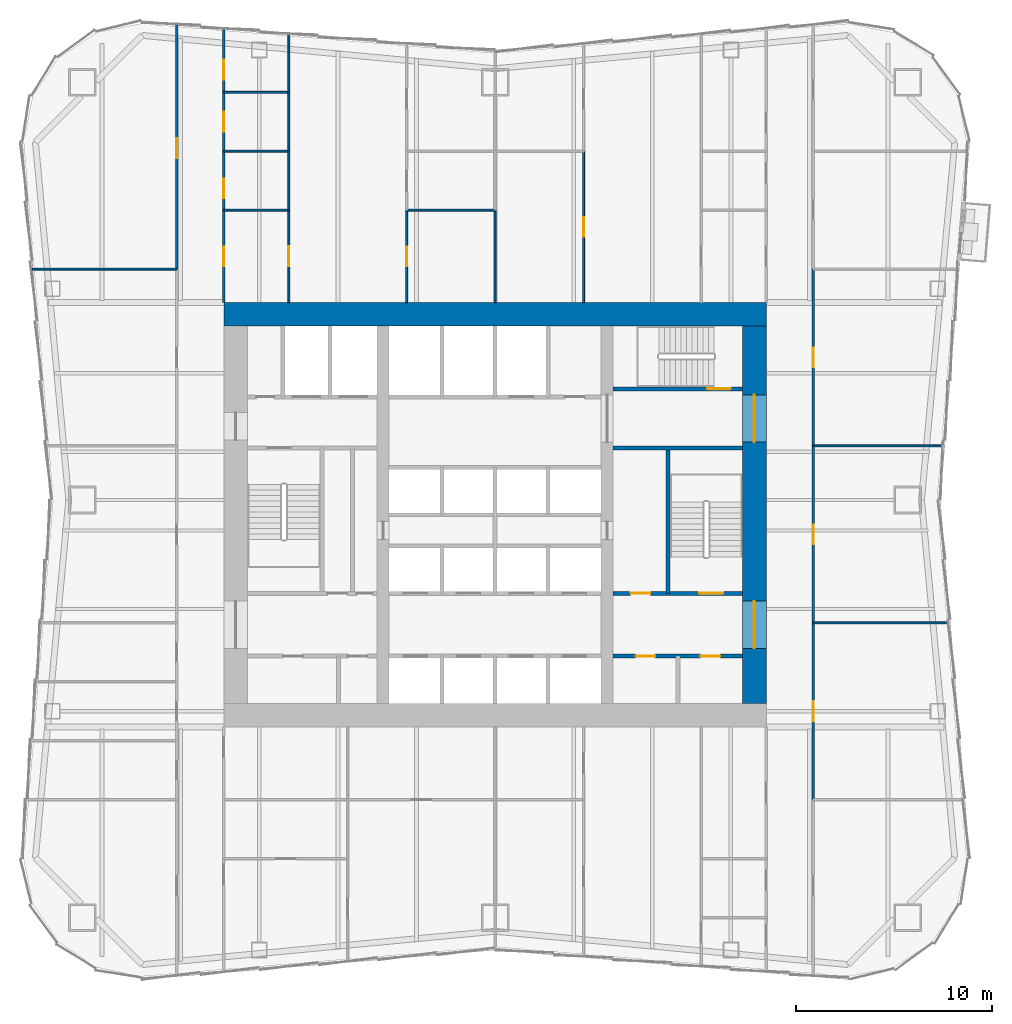
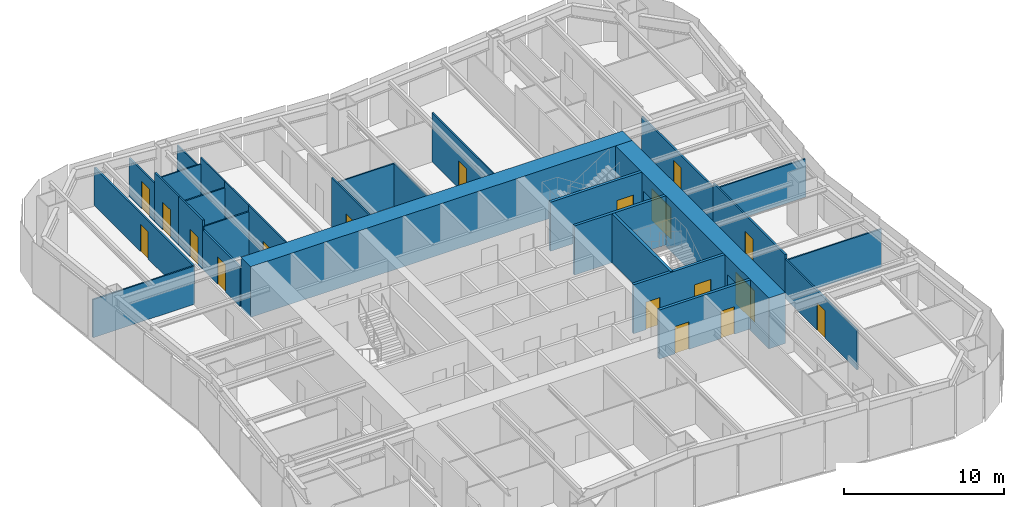
# One storey, part 6 of 9: 29 walls, 18 doors, 18 openings.
"""IFC4 building model written with IfcOpenShell, lengths in metres."""

from ifc_helpers import new_model, si_unit, direction, frame, frame_2d, origin, place, context, subcontext, project, spatial, rectangle, extrude, material, layer, layer_set, type_object, element, fill, save


model = new_model("IFC4")

# Units and contexts
model_context = context("Model", 3, precision=1e-05, world=origin(), true_north=direction((0.0, 1.0)))
body_context = subcontext(model_context, "Body", "Model", "MODEL_VIEW")
ifc_project = project(units=[si_unit("LENGTHUNIT", "METRE"), si_unit("AREAUNIT", "SQUARE_METRE"), si_unit("VOLUMEUNIT", "CUBIC_METRE"), si_unit("PLANEANGLEUNIT", "RADIAN"), si_unit("MASSUNIT", "GRAM", prefix="KILO")], contexts=[model_context])

# Site, building, storey
site_placement = place(None, origin())
site = spatial("IfcSite", under=ifc_project, at=site_placement, CompositionType="ELEMENT")
building_placement = place(site_placement, origin())
building = spatial("IfcBuilding", under=site, at=building_placement, Name="Verdant Reach Tower", CompositionType="ELEMENT")
storey_placement = place(building_placement, frame((0.0, 0.0, 110.0)))
storey = spatial("IfcBuildingStorey", under=building, at=storey_placement, Name="L25", CompositionType="ELEMENT", Elevation=110.0)

# Wall, openings, doors
ifc_material_1 = material(Name="Gypsum board on steel studs", Category="steel")
ifc_layer_1 = layer(ifc_material_1, 0.199951171875)
ifc_layer_set_1 = layer_set([ifc_layer_1], Name="CO-WALL-ROOM")
wall_type_1 = type_object("IfcWallType", Name="CO-WALL-ROOM", PredefinedType="PARTITIONING", material=ifc_layer_set_1)
wall_1_placement = place(storey_placement, frame((6.0, 20.800048828125, 0.0), z_axis=(0.0, 0.0, 1.0), x_axis=(1.0, 0.0, 0.0)))
wall_1 = element("IfcWall", 1, at=wall_1_placement, inside=storey, type_object=wall_type_1, Name="Core partition, L25", PredefinedType="PARTITIONING", context=body_context, shape_type="SweptSolid", body=[
    extrude(rectangle(XDim=6.60009765625, YDim=0.199951171875, at=frame_2d((3.300048828125, 0.0))), origin(), (0.0, 0.0, 1.0), 3.75),
])
opening_1_placement = place(wall_1_placement, frame((1.14990234375, 0.0, 0.0)))
opening_1 = element("IfcOpeningElement", 2, at=opening_1_placement, cuts=wall_1, Name="Opening CD", PredefinedType="OPENING", context=body_context, shape_type="SweptSolid", body=[
    extrude(rectangle(XDim=1.0, YDim=2.10009765625, at=frame_2d((0.5, 1.050048828125))), frame((0.0, 0.10986328125, 0.0), z_axis=(0.0, -1.0, 0.0), x_axis=(1.0, 0.0, 0.0)), (0.0, 0.0, 1.0), 0.219970703125),
])
opening_2_placement = place(wall_1_placement, frame((4.449951171875, 0.0, 0.0)))
opening_2 = element("IfcOpeningElement", 3, at=opening_2_placement, cuts=wall_1, Name="Opening CD", PredefinedType="OPENING", context=body_context, shape_type="SweptSolid", body=[
    extrude(rectangle(XDim=1.0, YDim=2.10009765625, at=frame_2d((0.5, 1.050048828125))), frame((0.0, 0.10986328125, 0.0), z_axis=(0.0, -1.0, 0.0), x_axis=(1.0, 0.0, 0.0)), (0.0, 0.0, 1.0), 0.219970703125),
])
ifc_material_2 = material(Name="Timber", Category="wood")
door_type_1 = type_object("IfcDoorType", Name="CO-DOOR-ROOM", OperationType="NOTDEFINED", PredefinedType="DOOR", material=ifc_material_2)
door_1_placement = place(opening_1_placement, origin())
door_1 = element("IfcDoor", 4, at=door_1_placement, inside=storey, type_object=door_type_1, Name="Core room door, L25", OperationType="SINGLE_SWING_LEFT", OverallHeight=2.10009765625, OverallWidth=1.0, PredefinedType="DOOR", context=body_context, shape_type="SweptSolid", body=[
    extrude(rectangle(XDim=1.0, YDim=2.10009765625, at=frame_2d((0.5, 1.050048828125))), frame((0.0, 0.02490234375, 0.0), z_axis=(0.0, -1.0, 0.0), x_axis=(1.0, 0.0, 0.0)), (0.0, 0.0, 1.0), 0.050048828125),
])
fill(opening_1, door_1)
door_2_placement = place(opening_2_placement, origin())
door_2 = element("IfcDoor", 5, at=door_2_placement, inside=storey, type_object=door_type_1, Name="Core room door, L25", OperationType="SINGLE_SWING_LEFT", OverallHeight=2.10009765625, OverallWidth=1.0, PredefinedType="DOOR", context=body_context, shape_type="SweptSolid", body=[
    extrude(rectangle(XDim=1.0, YDim=2.10009765625, at=frame_2d((0.5, 1.050048828125))), frame((0.0, 0.02490234375, 0.0), z_axis=(0.0, -1.0, 0.0), x_axis=(1.0, 0.0, 0.0)), (0.0, 0.0, 1.0), 0.050048828125),
])
fill(opening_2, door_2)

ifc_material_3 = material(Name="Concrete C40/50", Category="concrete")
ifc_layer_2 = layer(ifc_material_3, 0.199951171875)
ifc_layer_set_2 = layer_set([ifc_layer_2], Name="CO-WALL-STAIR")
wall_type_2 = type_object("IfcWallType", Name="CO-WALL-STAIR", PredefinedType="PARTITIONING", material=ifc_layer_set_2)
wall_2_placement = place(storey_placement, frame((6.0, 24.0, 0.0), z_axis=(0.0, 0.0, 1.0), x_axis=(1.0, 0.0, 0.0)))
wall_2 = element("IfcWall", 6, at=wall_2_placement, inside=storey, type_object=wall_type_2, Name="Stair enclosure wall, L25", PredefinedType="PARTITIONING", context=body_context, shape_type="SweptSolid", body=[
    extrude(rectangle(XDim=6.60009765625, YDim=0.199951171875, at=frame_2d((3.300048828125, 0.0))), origin(), (0.0, 0.0, 1.0), 3.75),
])
opening_3_placement = place(wall_2_placement, frame((0.89990234375, 0.0, 0.0)))
opening_3 = element("IfcOpeningElement", 7, at=opening_3_placement, cuts=wall_2, Name="Opening CD", PredefinedType="OPENING", context=body_context, shape_type="SweptSolid", body=[
    extrude(rectangle(XDim=1.0, YDim=2.10009765625, at=frame_2d((0.5, 1.050048828125))), frame((0.0, 0.10986328125, 0.0), z_axis=(0.0, -1.0, 0.0), x_axis=(1.0, 0.0, 0.0)), (0.0, 0.0, 1.0), 0.219970703125),
])
opening_4_placement = place(wall_2_placement, frame((4.39990234375, 0.0, 0.0)))
opening_4 = element("IfcOpeningElement", 8, at=opening_4_placement, cuts=wall_2, Name="Opening SD", PredefinedType="OPENING", context=body_context, shape_type="SweptSolid", body=[
    extrude(rectangle(XDim=1.199951171875, YDim=2.199951171875, at=frame_2d((0.60009765625, 1.10009765625))), frame((0.0, 0.10986328125, 0.0), z_axis=(0.0, -1.0, 0.0), x_axis=(1.0, 0.0, 0.0)), (0.0, 0.0, 1.0), 0.219970703125),
])
door_3_placement = place(opening_3_placement, origin())
door_3 = element("IfcDoor", 9, at=door_3_placement, inside=storey, type_object=door_type_1, Name="Core room door, L25", OperationType="SINGLE_SWING_RIGHT", OverallHeight=2.10009765625, OverallWidth=1.0, PredefinedType="DOOR", context=body_context, shape_type="SweptSolid", body=[
    extrude(rectangle(XDim=1.0, YDim=2.10009765625, at=frame_2d((0.5, 1.050048828125))), frame((0.0, 0.02490234375, 0.0), z_axis=(0.0, -1.0, 0.0), x_axis=(1.0, 0.0, 0.0)), (0.0, 0.0, 1.0), 0.050048828125),
])
fill(opening_3, door_3)
ifc_material_4 = material(Name="Steel", Category="steel")
door_type_2 = type_object("IfcDoorType", Name="CO-DOOR-STAIR", OperationType="NOTDEFINED", PredefinedType="DOOR", material=ifc_material_4)
door_4_placement = place(opening_4_placement, origin())
door_4 = element("IfcDoor", 10, at=door_4_placement, inside=storey, type_object=door_type_2, Name="Stair door, L25", OperationType="SINGLE_SWING_LEFT", OverallHeight=2.199951171875, OverallWidth=1.199951171875, PredefinedType="DOOR", context=body_context, shape_type="SweptSolid", body=[
    extrude(rectangle(XDim=1.199951171875, YDim=2.199951171875, at=frame_2d((0.60009765625, 1.10009765625))), frame((0.0, 0.02490234375, 0.0), z_axis=(0.0, -1.0, 0.0), x_axis=(1.0, 0.0, 0.0)), (0.0, 0.0, 1.0), 0.050048828125),
])
fill(opening_4, door_4)

# Wall
wall_3_placement = place(storey_placement, frame((6.0, 31.39990234375, 0.0), z_axis=(0.0, 0.0, 1.0), x_axis=(1.0, 0.0, 0.0)))
element("IfcWall", 11, at=wall_3_placement, inside=storey, type_object=wall_type_2, Name="Stair enclosure wall, L25", PredefinedType="PARTITIONING", context=body_context, shape_type="SweptSolid", body=[
    extrude(rectangle(XDim=6.60009765625, YDim=0.199951171875, at=frame_2d((3.300048828125, 0.0))), origin(), (0.0, 0.0, 1.0), 3.75),
])

# Wall, opening, door
wall_4_placement = place(storey_placement, frame((6.0, 34.39990234375, 0.0), z_axis=(0.0, 0.0, 1.0), x_axis=(1.0, 0.0, 0.0)))
wall_4 = element("IfcWall", 12, at=wall_4_placement, inside=storey, type_object=wall_type_2, Name="Stair enclosure wall, L25", PredefinedType="PARTITIONING", context=body_context, shape_type="SweptSolid", body=[
    extrude(rectangle(XDim=6.60009765625, YDim=0.199951171875, at=frame_2d((3.300048828125, 0.0))), origin(), (0.0, 0.0, 1.0), 3.75),
])
opening_5_placement = place(wall_4_placement, frame((4.800048828125, 0.0, 0.0)))
opening_5 = element("IfcOpeningElement", 13, at=opening_5_placement, cuts=wall_4, Name="Opening SD", PredefinedType="OPENING", context=body_context, shape_type="SweptSolid", body=[
    extrude(rectangle(XDim=1.199951171875, YDim=2.199951171875, at=frame_2d((0.60009765625, 1.10009765625))), frame((0.0, 0.10986328125, 0.0), z_axis=(0.0, -1.0, 0.0), x_axis=(1.0, 0.0, 0.0)), (0.0, 0.0, 1.0), 0.219970703125),
])
door_5_placement = place(opening_5_placement, origin())
door_5 = element("IfcDoor", 14, at=door_5_placement, inside=storey, type_object=door_type_2, Name="Stair door, L25", OperationType="SINGLE_SWING_RIGHT", OverallHeight=2.199951171875, OverallWidth=1.199951171875, PredefinedType="DOOR", context=body_context, shape_type="SweptSolid", body=[
    extrude(rectangle(XDim=1.199951171875, YDim=2.199951171875, at=frame_2d((0.60009765625, 1.10009765625))), frame((0.0, 0.02490234375, 0.0), z_axis=(0.0, -1.0, 0.0), x_axis=(1.0, 0.0, 0.0)), (0.0, 0.0, 1.0), 0.050048828125),
])
fill(opening_5, door_5)

# Walls
wall_5_placement = place(storey_placement, frame((8.800048828125, 24.0, 0.0), z_axis=(0.0, 0.0, 1.0), x_axis=(0.0, 1.0, 0.0)))
element("IfcWall", 15, at=wall_5_placement, inside=storey, type_object=wall_type_2, Name="Stair enclosure wall, L25", PredefinedType="PARTITIONING", context=body_context, shape_type="SweptSolid", body=[
    extrude(rectangle(XDim=7.39990234375, YDim=0.199951171875, at=frame_2d((3.699951171875, 0.0))), origin(), (0.0, 0.0, 1.0), 3.75),
])
ifc_layer_3 = layer(ifc_material_1, 0.10009765625)
ifc_layer_set_3 = layer_set([ifc_layer_3], Name="FL-W1 Partition 100")
wall_type_3 = type_object("IfcWallType", Name="FL-W1 Partition 100", PredefinedType="PARTITIONING", material=ifc_layer_set_3)
wall_6_placement = place(storey_placement, frame((-16.199951171875, 40.5, 0.0), z_axis=(0.0, 0.0, 1.0), x_axis=(-1.0, 0.0, 0.0)))
element("IfcWall", 16, at=wall_6_placement, inside=storey, type_object=wall_type_3, Name="Partition 25.32", PredefinedType="PARTITIONING", context=body_context, shape_type="SweptSolid", body=[
    extrude(rectangle(XDim=7.345947265625, YDim=0.10009765625, at=frame_2d((3.6728515625, 0.0))), origin(), (0.0, 0.0, 1.0), 2.919921875),
])
wall_7_placement = place(storey_placement, frame((23.09375, 22.5, 0.0), z_axis=(0.0, 0.0, 1.0), x_axis=(-1.0, 0.0, 0.0)))
element("IfcWall", 17, at=wall_7_placement, inside=storey, type_object=wall_type_3, Name="Partition 25.34", PredefinedType="PARTITIONING", context=body_context, shape_type="SweptSolid", body=[
    extrude(rectangle(XDim=6.893798828125, YDim=0.10009765625, at=frame_2d((3.44677734375, 0.0))), origin(), (0.0, 0.0, 1.0), 2.919921875),
])
wall_8_placement = place(storey_placement, frame((22.805908203125, 31.5, 0.0), z_axis=(0.0, 0.0, 1.0), x_axis=(-1.0, 0.0, 0.0)))
element("IfcWall", 18, at=wall_8_placement, inside=storey, type_object=wall_type_3, Name="Partition 25.35", PredefinedType="PARTITIONING", context=body_context, shape_type="SweptSolid", body=[
    extrude(rectangle(XDim=6.60595703125, YDim=0.10009765625, at=frame_2d((3.302978515625, 0.0))), origin(), (0.0, 0.0, 1.0), 2.919921875),
])
wall_9_placement = place(storey_placement, frame((-10.5, 43.5, 0.0), z_axis=(0.0, 0.0, 1.0), x_axis=(-1.0, 0.0, 0.0)))
element("IfcWall", 19, at=wall_9_placement, inside=storey, type_object=wall_type_3, Name="Partition 25.54", PredefinedType="PARTITIONING", context=body_context, shape_type="SweptSolid", body=[
    extrude(rectangle(XDim=3.300048828125, YDim=0.10009765625, at=frame_2d((1.64990234375, 0.0))), origin(), (0.0, 0.0, 1.0), 3.27001953125),
])

# Wall, opening, door
wall_10_placement = place(storey_placement, frame((-10.5, 43.50390625, 0.0), z_axis=(0.0, 0.0, 1.0), x_axis=(0.0, -1.0, 0.0)))
wall_10 = element("IfcWall", 20, at=wall_10_placement, inside=storey, type_object=wall_type_3, Name="Partition 25.55", PredefinedType="PARTITIONING", context=body_context, shape_type="SweptSolid", body=[
    extrude(rectangle(XDim=4.703857421875, YDim=0.10009765625, at=frame_2d((2.35205078125, 0.0))), origin(), (0.0, 0.0, 1.0), 3.75),
])
opening_6_placement = place(wall_10_placement, frame((1.85205078125, 0.0, 0.0)))
opening_6 = element("IfcOpeningElement", 21, at=opening_6_placement, cuts=wall_10, Name="Opening D3", PredefinedType="OPENING", context=body_context, shape_type="SweptSolid", body=[
    extrude(rectangle(XDim=1.0, YDim=2.10009765625, at=frame_2d((0.5, 1.050048828125))), frame((0.0, 0.06005859375, 0.0), z_axis=(0.0, -1.0, 0.0), x_axis=(1.0, 0.0, 0.0)), (0.0, 0.0, 1.0), 0.1201171875),
])
ifc_material_5 = material(Name="Painted timber door leaf", Category="wood")
door_type_3 = type_object("IfcDoorType", Name="FL-D3 Door 1000x2100", OperationType="NOTDEFINED", PredefinedType="DOOR", material=ifc_material_5)
door_6_placement = place(opening_6_placement, origin())
door_6 = element("IfcDoor", 22, at=door_6_placement, inside=storey, type_object=door_type_3, Name="Door 25-032", OperationType="SINGLE_SWING_RIGHT", OverallHeight=2.10009765625, OverallWidth=1.0, PredefinedType="DOOR", context=body_context, shape_type="SweptSolid", body=[
    extrude(rectangle(XDim=1.0, YDim=2.10009765625, at=frame_2d((0.5, 1.050048828125))), frame((0.0, 0.02490234375, 0.0), z_axis=(0.0, -1.0, 0.0), x_axis=(1.0, 0.0, 0.0)), (0.0, 0.0, 1.0), 0.050048828125),
])
fill(opening_6, door_6)

# Walls
wall_11_placement = place(storey_placement, frame((-10.5, 46.5, 0.0), z_axis=(0.0, 0.0, 1.0), x_axis=(-1.0, 0.0, 0.0)))
element("IfcWall", 23, at=wall_11_placement, inside=storey, type_object=wall_type_3, Name="Partition 25.56", PredefinedType="PARTITIONING", context=body_context, shape_type="SweptSolid", body=[
    extrude(rectangle(XDim=3.300048828125, YDim=0.10009765625, at=frame_2d((1.64990234375, 0.0))), origin(), (0.0, 0.0, 1.0), 3.27001953125),
])
wall_12_placement = place(storey_placement, frame((-10.5, 43.49609375, 0.0), z_axis=(0.0, 0.0, 1.0), x_axis=(0.0, 1.0, 0.0)))
element("IfcWall", 24, at=wall_12_placement, inside=storey, type_object=wall_type_3, Name="Partition 25.57", PredefinedType="PARTITIONING", context=body_context, shape_type="SweptSolid", body=[
    extrude(rectangle(XDim=3.0078125, YDim=0.10009765625, at=frame_2d((1.50390625, 0.0))), origin(), (0.0, 0.0, 1.0), 3.75),
])
wall_13_placement = place(storey_placement, frame((-10.5, 49.5, 0.0), z_axis=(0.0, 0.0, 1.0), x_axis=(-1.0, 0.0, 0.0)))
element("IfcWall", 25, at=wall_13_placement, inside=storey, type_object=wall_type_3, Name="Partition 25.58", PredefinedType="PARTITIONING", context=body_context, shape_type="SweptSolid", body=[
    extrude(rectangle(XDim=3.300048828125, YDim=0.10009765625, at=frame_2d((1.64990234375, 0.0))), origin(), (0.0, 0.0, 1.0), 3.27001953125),
])
wall_14_placement = place(storey_placement, frame((-10.5, 46.49609375, 0.0), z_axis=(0.0, 0.0, 1.0), x_axis=(0.0, 1.0, 0.0)))
element("IfcWall", 26, at=wall_14_placement, inside=storey, type_object=wall_type_3, Name="Partition 25.59", PredefinedType="PARTITIONING", context=body_context, shape_type="SweptSolid", body=[
    extrude(rectangle(XDim=3.0078125, YDim=0.10009765625, at=frame_2d((1.50390625, 0.0))), origin(), (0.0, 0.0, 1.0), 3.75),
])
wall_15_placement = place(storey_placement, frame((-10.5, 49.49609375, 0.0), z_axis=(0.0, 0.0, 1.0), x_axis=(0.0, 1.0, 0.0)))
element("IfcWall", 27, at=wall_15_placement, inside=storey, type_object=wall_type_3, Name="Partition 25.60", PredefinedType="PARTITIONING", context=body_context, shape_type="SweptSolid", body=[
    extrude(rectangle(XDim=2.958984375, YDim=0.10009765625, at=frame_2d((1.4794921875, 0.0))), origin(), (0.0, 0.0, 1.0), 2.919921875),
])

# Wall, opening, door
wall_16_placement = place(storey_placement, frame((-4.5, 43.5, 0.0), z_axis=(0.0, 0.0, 1.0), x_axis=(0.0, -1.0, 0.0)))
wall_16 = element("IfcWall", 28, at=wall_16_placement, inside=storey, type_object=wall_type_3, Name="Partition 25.61", PredefinedType="PARTITIONING", context=body_context, shape_type="SweptSolid", body=[
    extrude(rectangle(XDim=4.699951171875, YDim=0.10009765625, at=frame_2d((2.35009765625, 0.0))), origin(), (0.0, 0.0, 1.0), 3.75),
])
opening_7_placement = place(wall_16_placement, frame((1.85009765625, 0.0, 0.0)))
opening_7 = element("IfcOpeningElement", 29, at=opening_7_placement, cuts=wall_16, Name="Opening D3", PredefinedType="OPENING", context=body_context, shape_type="SweptSolid", body=[
    extrude(rectangle(XDim=1.0, YDim=2.10009765625, at=frame_2d((0.5, 1.050048828125))), frame((0.0, 0.06005859375, 0.0), z_axis=(0.0, -1.0, 0.0), x_axis=(1.0, 0.0, 0.0)), (0.0, 0.0, 1.0), 0.1201171875),
])
door_7_placement = place(opening_7_placement, origin())
door_7 = element("IfcDoor", 30, at=door_7_placement, inside=storey, type_object=door_type_3, Name="Door 25-033", OperationType="SINGLE_SWING_LEFT", OverallHeight=2.10009765625, OverallWidth=1.0, PredefinedType="DOOR", context=body_context, shape_type="SweptSolid", body=[
    extrude(rectangle(XDim=1.0, YDim=2.10009765625, at=frame_2d((0.5, 1.050048828125))), frame((0.0, 0.02490234375, 0.0), z_axis=(0.0, -1.0, 0.0), x_axis=(1.0, 0.0, 0.0)), (0.0, 0.0, 1.0), 0.050048828125),
])
fill(opening_7, door_7)

# Walls
wall_17_placement = place(storey_placement, frame((0.0, 43.5, 0.0), z_axis=(0.0, 0.0, 1.0), x_axis=(-1.0, 0.0, 0.0)))
element("IfcWall", 31, at=wall_17_placement, inside=storey, type_object=wall_type_3, Name="Partition 25.64", PredefinedType="PARTITIONING", context=body_context, shape_type="SweptSolid", body=[
    extrude(rectangle(XDim=4.5, YDim=0.10009765625, at=frame_2d((2.25, 0.0))), origin(), (0.0, 0.0, 1.0), 3.27001953125),
])
wall_18_placement = place(storey_placement, frame((0.0, 38.800048828125, 0.0), z_axis=(0.0, 0.0, 1.0), x_axis=(0.0, 1.0, 0.0)))
element("IfcWall", 32, at=wall_18_placement, inside=storey, type_object=wall_type_3, Name="Partition 25.65", PredefinedType="PARTITIONING", context=body_context, shape_type="SweptSolid", body=[
    extrude(rectangle(XDim=4.703857421875, YDim=0.10009765625, at=frame_2d((2.35205078125, 0.0))), origin(), (0.0, 0.0, 1.0), 3.320068359375),
])

# Wall, opening, door
wall_19_placement = place(storey_placement, frame((4.5, 38.800048828125, 0.0), z_axis=(0.0, 0.0, 1.0), x_axis=(0.0, 1.0, 0.0)))
wall_19 = element("IfcWall", 33, at=wall_19_placement, inside=storey, type_object=wall_type_3, Name="Partition 25.74", PredefinedType="PARTITIONING", context=body_context, shape_type="SweptSolid", body=[
    extrude(rectangle(XDim=7.699951171875, YDim=0.10009765625, at=frame_2d((3.85009765625, 0.0))), origin(), (0.0, 0.0, 1.0), 3.75),
])
opening_8_placement = place(wall_19_placement, frame((3.35009765625, 0.0, 0.0)))
opening_8 = element("IfcOpeningElement", 34, at=opening_8_placement, cuts=wall_19, Name="Opening D3", PredefinedType="OPENING", context=body_context, shape_type="SweptSolid", body=[
    extrude(rectangle(XDim=1.0, YDim=2.10009765625, at=frame_2d((0.5, 1.050048828125))), frame((0.0, 0.06005859375, 0.0), z_axis=(0.0, -1.0, 0.0), x_axis=(1.0, 0.0, 0.0)), (0.0, 0.0, 1.0), 0.1201171875),
])
door_8_placement = place(opening_8_placement, origin())
door_8 = element("IfcDoor", 35, at=door_8_placement, inside=storey, type_object=door_type_3, Name="Door 25-037", OperationType="SINGLE_SWING_LEFT", OverallHeight=2.10009765625, OverallWidth=1.0, PredefinedType="DOOR", context=body_context, shape_type="SweptSolid", body=[
    extrude(rectangle(XDim=1.0, YDim=2.10009765625, at=frame_2d((0.5, 1.050048828125))), frame((0.0, 0.02490234375, 0.0), z_axis=(0.0, -1.0, 0.0), x_axis=(1.0, 0.0, 0.0)), (0.0, 0.0, 1.0), 0.050048828125),
])
fill(opening_8, door_8)

ifc_material_6 = material(Name="Gypsum board on steel studs, fire rated", Category="steel")
ifc_layer_4 = layer(ifc_material_6, 0.125)
ifc_layer_set_4 = layer_set([ifc_layer_4], Name="FL-W2 Corridor wall 125")
wall_type_4 = type_object("IfcWallType", Name="FL-W2 Corridor wall 125", PredefinedType="PARTITIONING", material=ifc_layer_set_4)
wall_20_placement = place(storey_placement, frame((-16.199951171875, 40.5, 0.0), z_axis=(0.0, 0.0, 1.0), x_axis=(0.0, 1.0, 0.0)))
wall_20 = element("IfcWall", 36, at=wall_20_placement, inside=storey, type_object=wall_type_4, Name="Partition 25.07", PredefinedType="PARTITIONING", context=body_context, shape_type="SweptSolid", body=[
    extrude(rectangle(XDim=12.429931640625, YDim=0.125, at=frame_2d((6.21484375, 0.0))), origin(), (0.0, 0.0, 1.0), 2.919921875),
])
opening_9_placement = place(wall_20_placement, frame((5.64990234375, 0.0, 0.0)))
opening_9 = element("IfcOpeningElement", 37, at=opening_9_placement, cuts=wall_20, Name="Opening D2", PredefinedType="OPENING", context=body_context, shape_type="SweptSolid", body=[
    extrude(rectangle(XDim=1.0, YDim=2.10009765625, at=frame_2d((0.5, 1.050048828125))), frame((0.0, 0.072509765625, 0.0), z_axis=(0.0, -1.0, 0.0), x_axis=(1.0, 0.0, 0.0)), (0.0, 0.0, 1.0), 0.14501953125),
])
ifc_material_7 = material(Name="Timber door leaf, fire rated", Category="wood")
door_type_4 = type_object("IfcDoorType", Name="FL-D2 Entrance door 1000x2100 FD30", OperationType="NOTDEFINED", PredefinedType="DOOR", material=ifc_material_7)
door_9_placement = place(opening_9_placement, origin())
door_9 = element("IfcDoor", 38, at=door_9_placement, inside=storey, type_object=door_type_4, Name="Door 25-007", OperationType="SINGLE_SWING_LEFT", OverallHeight=2.10009765625, OverallWidth=1.0, PredefinedType="DOOR", context=body_context, shape_type="SweptSolid", body=[
    extrude(rectangle(XDim=1.0, YDim=2.10009765625, at=frame_2d((0.5, 1.050048828125))), frame((0.0, 0.02490234375, 0.0), z_axis=(0.0, -1.0, 0.0), x_axis=(1.0, 0.0, 0.0)), (0.0, 0.0, 1.0), 0.050048828125),
])
fill(opening_9, door_9)

wall_21_placement = place(storey_placement, frame((-13.800048828125, 43.5, 0.0), z_axis=(0.0, 0.0, 1.0), x_axis=(0.0, -1.0, 0.0)))
wall_21 = element("IfcWall", 39, at=wall_21_placement, inside=storey, type_object=wall_type_4, Name="Partition 25.11", PredefinedType="PARTITIONING", context=body_context, shape_type="SweptSolid", body=[
    extrude(rectangle(XDim=4.699951171875, YDim=0.125, at=frame_2d((2.35009765625, 0.0))), origin(), (0.0, 0.0, 1.0), 3.02001953125),
])
opening_10_placement = place(wall_21_placement, frame((1.85009765625, 0.0, 0.0)))
opening_10 = element("IfcOpeningElement", 40, at=opening_10_placement, cuts=wall_21, Name="Opening D2", PredefinedType="OPENING", context=body_context, shape_type="SweptSolid", body=[
    extrude(rectangle(XDim=1.0, YDim=2.10009765625, at=frame_2d((0.5, 1.050048828125))), frame((0.0, 0.072509765625, 0.0), z_axis=(0.0, -1.0, 0.0), x_axis=(1.0, 0.0, 0.0)), (0.0, 0.0, 1.0), 0.14501953125),
])
door_10_placement = place(opening_10_placement, origin())
door_10 = element("IfcDoor", 41, at=door_10_placement, inside=storey, type_object=door_type_4, Name="Door 25-010", OperationType="SINGLE_SWING_RIGHT", OverallHeight=2.10009765625, OverallWidth=1.0, PredefinedType="DOOR", context=body_context, shape_type="SweptSolid", body=[
    extrude(rectangle(XDim=1.0, YDim=2.10009765625, at=frame_2d((0.5, 1.050048828125))), frame((0.0, 0.02490234375, 0.0), z_axis=(0.0, -1.0, 0.0), x_axis=(1.0, 0.0, 0.0)), (0.0, 0.0, 1.0), 0.050048828125),
])
fill(opening_10, door_10)

wall_22_placement = place(storey_placement, frame((-13.800048828125, 46.5, 0.0), z_axis=(0.0, 0.0, 1.0), x_axis=(0.0, -1.0, 0.0)))
wall_22 = element("IfcWall", 42, at=wall_22_placement, inside=storey, type_object=wall_type_4, Name="Partition 25.12", PredefinedType="PARTITIONING", context=body_context, shape_type="SweptSolid", body=[
    extrude(rectangle(XDim=3.0, YDim=0.125, at=frame_2d((1.5, 0.0))), origin(), (0.0, 0.0, 1.0), 3.75),
])
opening_11_placement = place(wall_22_placement, frame((1.39990234375, 0.0, 0.0)))
opening_11 = element("IfcOpeningElement", 43, at=opening_11_placement, cuts=wall_22, Name="Opening D2", PredefinedType="OPENING", context=body_context, shape_type="SweptSolid", body=[
    extrude(rectangle(XDim=1.0, YDim=2.10009765625, at=frame_2d((0.5, 1.050048828125))), frame((0.0, 0.072509765625, 0.0), z_axis=(0.0, -1.0, 0.0), x_axis=(1.0, 0.0, 0.0)), (0.0, 0.0, 1.0), 0.14501953125),
])
door_11_placement = place(opening_11_placement, origin())
door_11 = element("IfcDoor", 44, at=door_11_placement, inside=storey, type_object=door_type_4, Name="Door 25-011", OperationType="SINGLE_SWING_RIGHT", OverallHeight=2.10009765625, OverallWidth=1.0, PredefinedType="DOOR", context=body_context, shape_type="SweptSolid", body=[
    extrude(rectangle(XDim=1.0, YDim=2.10009765625, at=frame_2d((0.5, 1.050048828125))), frame((0.0, 0.02490234375, 0.0), z_axis=(0.0, -1.0, 0.0), x_axis=(1.0, 0.0, 0.0)), (0.0, 0.0, 1.0), 0.050048828125),
])
fill(opening_11, door_11)

wall_23_placement = place(storey_placement, frame((-13.800048828125, 49.5, 0.0), z_axis=(0.0, 0.0, 1.0), x_axis=(0.0, -1.0, 0.0)))
wall_23 = element("IfcWall", 45, at=wall_23_placement, inside=storey, type_object=wall_type_4, Name="Partition 25.13", PredefinedType="PARTITIONING", context=body_context, shape_type="SweptSolid", body=[
    extrude(rectangle(XDim=3.0, YDim=0.125, at=frame_2d((1.5, 0.0))), origin(), (0.0, 0.0, 1.0), 3.75),
])
opening_12_placement = place(wall_23_placement, frame((1.0, 0.0, 0.0)))
opening_12 = element("IfcOpeningElement", 46, at=opening_12_placement, cuts=wall_23, Name="Opening D2", PredefinedType="OPENING", context=body_context, shape_type="SweptSolid", body=[
    extrude(rectangle(XDim=1.0, YDim=2.10009765625, at=frame_2d((0.5, 1.050048828125))), frame((0.0, 0.072509765625, 0.0), z_axis=(0.0, -1.0, 0.0), x_axis=(1.0, 0.0, 0.0)), (0.0, 0.0, 1.0), 0.14501953125),
])
door_12_placement = place(opening_12_placement, origin())
door_12 = element("IfcDoor", 47, at=door_12_placement, inside=storey, type_object=door_type_4, Name="Door 25-012", OperationType="SINGLE_SWING_RIGHT", OverallHeight=2.10009765625, OverallWidth=1.0, PredefinedType="DOOR", context=body_context, shape_type="SweptSolid", body=[
    extrude(rectangle(XDim=1.0, YDim=2.10009765625, at=frame_2d((0.5, 1.050048828125))), frame((0.0, 0.02490234375, 0.0), z_axis=(0.0, -1.0, 0.0), x_axis=(1.0, 0.0, 0.0)), (0.0, 0.0, 1.0), 0.050048828125),
])
fill(opening_12, door_12)

wall_24_placement = place(storey_placement, frame((-13.800048828125, 52.72998046875, 0.0), z_axis=(0.0, 0.0, 1.0), x_axis=(0.0, -1.0, 0.0)))
wall_24 = element("IfcWall", 48, at=wall_24_placement, inside=storey, type_object=wall_type_4, Name="Partition 25.14", PredefinedType="PARTITIONING", context=body_context, shape_type="SweptSolid", body=[
    extrude(rectangle(XDim=3.22998046875, YDim=0.125, at=frame_2d((1.614990234375, 0.0))), origin(), (0.0, 0.0, 1.0), 2.919921875),
])
opening_13_placement = place(wall_24_placement, frame((1.580078125, 0.0, 0.0)))
opening_13 = element("IfcOpeningElement", 49, at=opening_13_placement, cuts=wall_24, Name="Opening D2", PredefinedType="OPENING", context=body_context, shape_type="SweptSolid", body=[
    extrude(rectangle(XDim=1.0, YDim=2.10009765625, at=frame_2d((0.5, 1.050048828125))), frame((0.0, 0.072509765625, 0.0), z_axis=(0.0, -1.0, 0.0), x_axis=(1.0, 0.0, 0.0)), (0.0, 0.0, 1.0), 0.14501953125),
])
door_13_placement = place(opening_13_placement, origin())
door_13 = element("IfcDoor", 50, at=door_13_placement, inside=storey, type_object=door_type_4, Name="Door 25-013", OperationType="SINGLE_SWING_RIGHT", OverallHeight=2.10009765625, OverallWidth=1.0, PredefinedType="DOOR", context=body_context, shape_type="SweptSolid", body=[
    extrude(rectangle(XDim=1.0, YDim=2.10009765625, at=frame_2d((0.5, 1.050048828125))), frame((0.0, 0.02490234375, 0.0), z_axis=(0.0, -1.0, 0.0), x_axis=(1.0, 0.0, 0.0)), (0.0, 0.0, 1.0), 0.050048828125),
])
fill(opening_13, door_13)

wall_25_placement = place(storey_placement, frame((16.199951171875, 22.5, 0.0), z_axis=(0.0, 0.0, 1.0), x_axis=(0.0, -1.0, 0.0)))
wall_25 = element("IfcWall", 51, at=wall_25_placement, inside=storey, type_object=wall_type_4, Name="Partition 25.16", PredefinedType="PARTITIONING", context=body_context, shape_type="SweptSolid", body=[
    extrude(rectangle(XDim=9.0, YDim=0.125, at=frame_2d((4.5, 0.0))), origin(), (0.0, 0.0, 1.0), 3.02001953125),
])
opening_14_placement = place(wall_25_placement, frame((4.0, 0.0, 0.0)))
opening_14 = element("IfcOpeningElement", 52, at=opening_14_placement, cuts=wall_25, Name="Opening D2", PredefinedType="OPENING", context=body_context, shape_type="SweptSolid", body=[
    extrude(rectangle(XDim=1.0, YDim=2.10009765625, at=frame_2d((0.5, 1.050048828125))), frame((0.0, 0.072509765625, 0.0), z_axis=(0.0, -1.0, 0.0), x_axis=(1.0, 0.0, 0.0)), (0.0, 0.0, 1.0), 0.14501953125),
])
door_14_placement = place(opening_14_placement, origin())
door_14 = element("IfcDoor", 53, at=door_14_placement, inside=storey, type_object=door_type_4, Name="Door 25-015", OperationType="SINGLE_SWING_LEFT", OverallHeight=2.10009765625, OverallWidth=1.0, PredefinedType="DOOR", context=body_context, shape_type="SweptSolid", body=[
    extrude(rectangle(XDim=1.0, YDim=2.10009765625, at=frame_2d((0.5, 1.050048828125))), frame((0.0, 0.02490234375, 0.0), z_axis=(0.0, -1.0, 0.0), x_axis=(1.0, 0.0, 0.0)), (0.0, 0.0, 1.0), 0.050048828125),
])
fill(opening_14, door_14)

wall_26_placement = place(storey_placement, frame((16.199951171875, 31.5, 0.0), z_axis=(0.0, 0.0, 1.0), x_axis=(0.0, -1.0, 0.0)))
wall_26 = element("IfcWall", 54, at=wall_26_placement, inside=storey, type_object=wall_type_4, Name="Partition 25.17", PredefinedType="PARTITIONING", context=body_context, shape_type="SweptSolid", body=[
    extrude(rectangle(XDim=9.0, YDim=0.125, at=frame_2d((4.5, 0.0))), origin(), (0.0, 0.0, 1.0), 3.360107421875),
])
opening_15_placement = place(wall_26_placement, frame((4.0, 0.0, 0.0)))
opening_15 = element("IfcOpeningElement", 55, at=opening_15_placement, cuts=wall_26, Name="Opening D2", PredefinedType="OPENING", context=body_context, shape_type="SweptSolid", body=[
    extrude(rectangle(XDim=1.0, YDim=2.10009765625, at=frame_2d((0.5, 1.050048828125))), frame((0.0, 0.072509765625, 0.0), z_axis=(0.0, -1.0, 0.0), x_axis=(1.0, 0.0, 0.0)), (0.0, 0.0, 1.0), 0.14501953125),
])
door_15_placement = place(opening_15_placement, origin())
door_15 = element("IfcDoor", 56, at=door_15_placement, inside=storey, type_object=door_type_4, Name="Door 25-016", OperationType="SINGLE_SWING_RIGHT", OverallHeight=2.10009765625, OverallWidth=1.0, PredefinedType="DOOR", context=body_context, shape_type="SweptSolid", body=[
    extrude(rectangle(XDim=1.0, YDim=2.10009765625, at=frame_2d((0.5, 1.050048828125))), frame((0.0, 0.02490234375, 0.0), z_axis=(0.0, -1.0, 0.0), x_axis=(1.0, 0.0, 0.0)), (0.0, 0.0, 1.0), 0.050048828125),
])
fill(opening_15, door_15)

wall_27_placement = place(storey_placement, frame((16.199951171875, 40.5, 0.0), z_axis=(0.0, 0.0, 1.0), x_axis=(0.0, -1.0, 0.0)))
wall_27 = element("IfcWall", 57, at=wall_27_placement, inside=storey, type_object=wall_type_4, Name="Partition 25.18", PredefinedType="PARTITIONING", context=body_context, shape_type="SweptSolid", body=[
    extrude(rectangle(XDim=9.0, YDim=0.125, at=frame_2d((4.5, 0.0))), origin(), (0.0, 0.0, 1.0), 3.02001953125),
])
opening_16_placement = place(wall_27_placement, frame((4.0, 0.0, 0.0)))
opening_16 = element("IfcOpeningElement", 58, at=opening_16_placement, cuts=wall_27, Name="Opening D2", PredefinedType="OPENING", context=body_context, shape_type="SweptSolid", body=[
    extrude(rectangle(XDim=1.0, YDim=2.10009765625, at=frame_2d((0.5, 1.050048828125))), frame((0.0, 0.072509765625, 0.0), z_axis=(0.0, -1.0, 0.0), x_axis=(1.0, 0.0, 0.0)), (0.0, 0.0, 1.0), 0.14501953125),
])
door_16_placement = place(opening_16_placement, origin())
door_16 = element("IfcDoor", 59, at=door_16_placement, inside=storey, type_object=door_type_4, Name="Door 25-017", OperationType="SINGLE_SWING_LEFT", OverallHeight=2.10009765625, OverallWidth=1.0, PredefinedType="DOOR", context=body_context, shape_type="SweptSolid", body=[
    extrude(rectangle(XDim=1.0, YDim=2.10009765625, at=frame_2d((0.5, 1.050048828125))), frame((0.0, 0.02490234375, 0.0), z_axis=(0.0, -1.0, 0.0), x_axis=(1.0, 0.0, 0.0)), (0.0, 0.0, 1.0), 0.050048828125),
])
fill(opening_16, door_16)

# Wall
ifc_material_8 = material(Name="Concrete C70/85", Category="concrete")
ifc_layer_5 = layer(ifc_material_8, 1.199951171875)
ifc_layer_set_5 = layer_set([ifc_layer_5], Name="ST-CORE-WALL-1200")
wall_type_5 = type_object("IfcWallType", Name="ST-CORE-WALL-1200", PredefinedType="SHEAR", material=ifc_layer_set_5)
wall_28_placement = place(storey_placement, frame((-13.800048828125, 38.199951171875, -0.1298828125), z_axis=(0.0, 0.0, 1.0), x_axis=(1.0, 0.0, 0.0)))
element("IfcWall", 60, at=wall_28_placement, inside=storey, type_object=wall_type_5, Name="Core wall N, L25", PredefinedType="SHEAR", context=body_context, shape_type="SweptSolid", body=[
    extrude(rectangle(XDim=27.60009765625, YDim=1.199951171875, at=frame_2d((13.800048828125, 0.0))), origin(), (0.0, 0.0, 1.0), 3.8798828125),
])

# Wall, openings, doors
wall_29_placement = place(storey_placement, frame((13.199951171875, 18.39990234375, -0.1298828125), z_axis=(0.0, 0.0, 1.0), x_axis=(0.0, 1.0, 0.0)))
wall_29 = element("IfcWall", 61, at=wall_29_placement, inside=storey, type_object=wall_type_5, Name="Core wall E, L25", PredefinedType="SHEAR", context=body_context, shape_type="SweptSolid", body=[
    extrude(rectangle(XDim=19.2001953125, YDim=1.199951171875, at=frame_2d((9.60009765625, 0.0))), origin(), (0.0, 0.0, 1.0), 3.8798828125),
])
opening_17_placement = place(wall_29_placement, frame((2.800048828125, 0.0, 0.1298828125)))
opening_17 = element("IfcOpeningElement", 62, at=opening_17_placement, cuts=wall_29, Name="Opening LB", PredefinedType="OPENING", context=body_context, shape_type="SweptSolid", body=[
    extrude(rectangle(XDim=2.39990234375, YDim=2.39990234375, at=frame_2d((1.199951171875, 1.199951171875))), frame((0.0, 0.60986328125, 0.0), z_axis=(0.0, -1.0, 0.0), x_axis=(1.0, 0.0, 0.0)), (0.0, 0.0, 1.0), 1.219970703125),
])
opening_18_placement = place(wall_29_placement, frame((13.300048828125, 0.0, 0.1298828125)))
opening_18 = element("IfcOpeningElement", 63, at=opening_18_placement, cuts=wall_29, Name="Opening LB", PredefinedType="OPENING", context=body_context, shape_type="SweptSolid", body=[
    extrude(rectangle(XDim=2.39990234375, YDim=2.39990234375, at=frame_2d((1.199951171875, 1.199951171875))), frame((0.0, 0.60986328125, 0.0), z_axis=(0.0, -1.0, 0.0), x_axis=(1.0, 0.0, 0.0)), (0.0, 0.0, 1.0), 1.219970703125),
])
ifc_material_9 = material(Name="Glass and steel", Category="steel")
door_type_5 = type_object("IfcDoorType", Name="CO-DOOR-LOBBY", OperationType="DOUBLE_DOOR_SINGLE_SWING", PredefinedType="DOOR", material=ifc_material_9)
door_17_placement = place(opening_17_placement, origin())
door_17 = element("IfcDoor", 64, at=door_17_placement, inside=storey, type_object=door_type_5, Name="Core entrance door, L25", OperationType="DOUBLE_DOOR_SINGLE_SWING", OverallHeight=2.39990234375, OverallWidth=2.39990234375, PredefinedType="DOOR", context=body_context, shape_type="SweptSolid", body=[
    extrude(rectangle(XDim=2.39990234375, YDim=2.39990234375, at=frame_2d((1.199951171875, 1.199951171875))), frame((0.0, 0.02490234375, 0.0), z_axis=(0.0, -1.0, 0.0), x_axis=(1.0, 0.0, 0.0)), (0.0, 0.0, 1.0), 0.050048828125),
])
fill(opening_17, door_17)
door_18_placement = place(opening_18_placement, origin())
door_18 = element("IfcDoor", 65, at=door_18_placement, inside=storey, type_object=door_type_5, Name="Core entrance door, L25", OperationType="DOUBLE_DOOR_SINGLE_SWING", OverallHeight=2.39990234375, OverallWidth=2.39990234375, PredefinedType="DOOR", context=body_context, shape_type="SweptSolid", body=[
    extrude(rectangle(XDim=2.39990234375, YDim=2.39990234375, at=frame_2d((1.199951171875, 1.199951171875))), frame((0.0, 0.02490234375, 0.0), z_axis=(0.0, -1.0, 0.0), x_axis=(1.0, 0.0, 0.0)), (0.0, 0.0, 1.0), 0.050048828125),
])
fill(opening_18, door_18)

save(model, "model.ifc")
